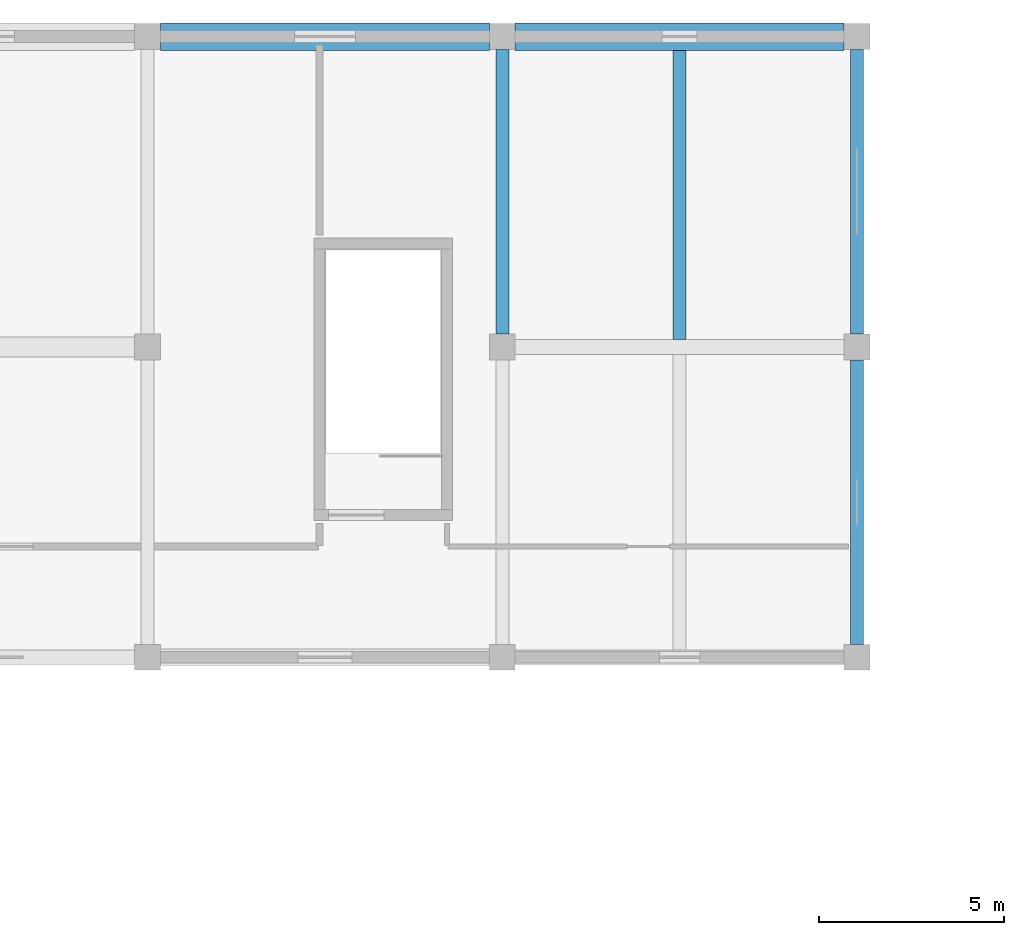
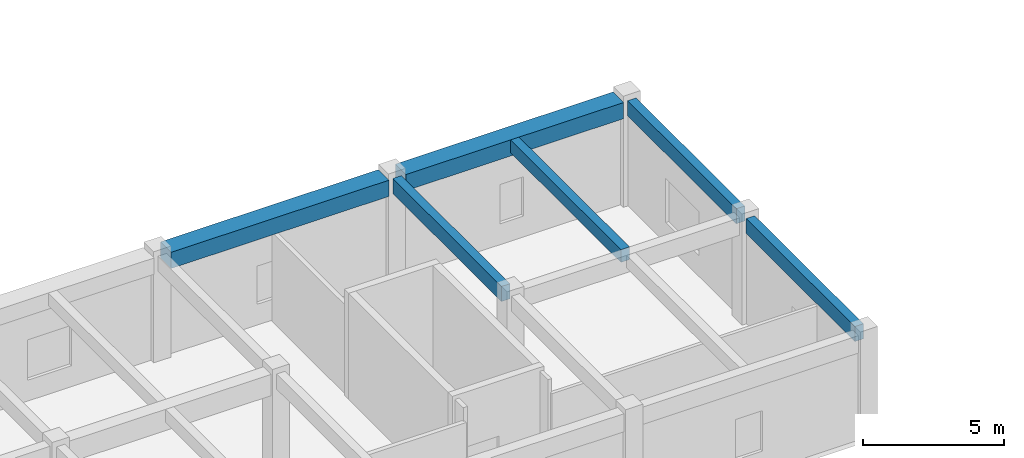
# One storey, part 23 of 68: 6 beams.
"""IFC4 building model written with IfcOpenShell, lengths in metres."""

import ifcopenshell
import ifcopenshell.guid

model = None  # the IFC model being written
_history = None  # IfcOwnerHistory: only IFC2X3 demands one
_inside = {}  # id of a spatial element -> (the spatial element, [elements in it])
_under = {}  # id of a project, library or spatial element -> (it, [spatial elements below it])
_declared = {}  # id of a project -> (the project, [libraries it declares])
_typed = {}  # id of a type object -> (the type object, [elements of that type])
_made_of = {}  # id of a material, layer set ... -> (it, [elements and type objects made of it])


def new_model(schema):
    """Start an empty IFC model of exactly this schema.

    Asked for "IFC4X3", IfcOpenShell would pick the latest addendum, in which some entities
    have other attributes; the version numbers below select the first issue.
    IFC2X3 requires an IfcOwnerHistory on every rooted entity: one is made here for all.
    """
    global model, _history
    if schema == "IFC4X3":
        model = ifcopenshell.file(schema_version=(4, 3, 0, 0))
    else:
        model = ifcopenshell.file(schema=schema)
    _inside.clear()
    _under.clear()
    _declared.clear()
    _typed.clear()
    _made_of.clear()
    _history = None
    if model.schema == "IFC2X3":
        org = make("IfcOrganization", Name="unknown")
        user = make(
            "IfcPersonAndOrganization",
            ThePerson=make("IfcPerson", FamilyName="unknown"),
            TheOrganization=org,
        )
        app = make(
            "IfcApplication",
            ApplicationDeveloper=org,
            Version="unknown",
            ApplicationFullName="unknown",
            ApplicationIdentifier="unknown",
        )
        _history = make(
            "IfcOwnerHistory",
            OwningUser=user,
            OwningApplication=app,
            ChangeAction="ADDED",
            CreationDate=0,
        )
    return model


def make(cls, **values):
    """One entity of the class cls with the attributes given. An attribute that is None is left unset."""
    return model.create_entity(
        cls, **{name: value for name, value in values.items() if value is not None}
    )


def rooted(cls, **values):
    """An entity with a GlobalId (a new one), such as an element, a storey or a relation."""
    return make(cls, GlobalId=ifcopenshell.guid.new(), OwnerHistory=_history, **values)


def si_unit(unit_type, name, prefix=None):
    """IfcSIUnit, for example si_unit("LENGTHUNIT", "METRE", prefix="MILLI")."""
    return make("IfcSIUnit", UnitType=unit_type, Prefix=prefix, Name=name)


def assignment(units):
    """IfcUnitAssignment: the units of a project."""
    return None if units is None else make("IfcUnitAssignment", Units=units)


def point(xyz):
    """IfcCartesianPoint."""
    return None if xyz is None else make("IfcCartesianPoint", Coordinates=xyz)


def direction(xyz):
    """IfcDirection."""
    return None if xyz is None else make("IfcDirection", DirectionRatios=xyz)


def frame(location, z_axis=None, x_axis=None):
    """IfcAxis2Placement3D, a coordinate frame: its origin and axes. An axis left out is left unset."""
    return make(
        "IfcAxis2Placement3D",
        Location=point(location),
        Axis=direction(z_axis),
        RefDirection=direction(x_axis),
    )


def frame_2d(location, x_axis=None):
    """IfcAxis2Placement2D, a coordinate frame in the plane: its origin and x axis."""
    return make(
        "IfcAxis2Placement2D", Location=point(location), RefDirection=direction(x_axis)
    )


def origin():
    """The frame at (0, 0, 0) with its axes left unset."""
    return frame((0.0, 0.0, 0.0))


def origin_2d():
    """The frame at (0, 0) in the plane with its x axis left unset."""
    return frame_2d((0.0, 0.0))


def place(relative_to, where):
    """IfcLocalPlacement: puts the frame where relative to a parent placement (None: the world)."""
    return make(
        "IfcLocalPlacement", PlacementRelTo=relative_to, RelativePlacement=where
    )


def context(
    kind, dimensions, precision=None, world=None, true_north=None, identifier=None
):
    """IfcGeometricRepresentationContext, for example the 3D "Model" context."""
    return make(
        "IfcGeometricRepresentationContext",
        ContextIdentifier=identifier,
        ContextType=kind,
        CoordinateSpaceDimension=dimensions,
        Precision=precision,
        WorldCoordinateSystem=world,
        TrueNorth=true_north,
    )


def subcontext(parent, identifier, kind, view, scale=None):
    """IfcGeometricRepresentationSubContext, for example "Body" below "Model"."""
    return make(
        "IfcGeometricRepresentationSubContext",
        ContextIdentifier=identifier,
        ContextType=kind,
        ParentContext=parent,
        TargetScale=scale,
        TargetView=view,
    )


def project(units=None, contexts=None):
    """IfcProject with its units and contexts."""
    return rooted(
        "IfcProject",
        Name="project",
        RepresentationContexts=contexts,
        UnitsInContext=assignment(units),
    )


def spatial(cls, under=None, at=None, **own):
    """A site, building, storey or space (cls), placed at a placement, below another one or the project."""
    s = rooted(cls, ObjectPlacement=at, **own)
    if under is not None:
        _under.setdefault(under.id(), (under, []))[1].append(s)
    return s


def profile(cls, at=None, kind="AREA", **sizes):
    """A parametric profile (cls). Its sizes go by their IFC names, for example OverallWidth=200.0."""
    return make(cls, ProfileType=kind, Position=at, **sizes)


def rectangle(**sizes):
    """IfcRectangleProfileDef."""
    return profile("IfcRectangleProfileDef", **sizes)


def extrude(swept, where, along, depth):
    """IfcExtrudedAreaSolid: the profile swept, set in the frame where, extruded along a direction by depth."""
    return make(
        "IfcExtrudedAreaSolid",
        SweptArea=swept,
        Position=where,
        ExtrudedDirection=direction(along),
        Depth=depth,
    )


def shape(context_of_items, identifier, shape_type, items):
    """IfcShapeRepresentation: the items that make up one representation, for example the "Body"."""
    return make(
        "IfcShapeRepresentation",
        ContextOfItems=context_of_items,
        RepresentationIdentifier=identifier,
        RepresentationType=shape_type,
        Items=items,
    )


def material(Name=None, Category=None):
    """IfcMaterial."""
    return make("IfcMaterial", Name=Name, Category=Category)


def material_profile(
    of_material, cross_section, Name=None, Category=None, Priority=None
):
    """IfcMaterialProfile: a cross section and its material."""
    return make(
        "IfcMaterialProfile",
        Name=Name,
        Material=of_material,
        Profile=cross_section,
        Priority=Priority,
        Category=Category,
    )


def profile_set(profiles, Name=None, composite=None):
    """IfcMaterialProfileSet."""
    return make(
        "IfcMaterialProfileSet",
        Name=Name,
        MaterialProfiles=profiles,
        CompositeProfile=composite,
    )


def made_of(thing, what):
    """Note that an element or type object is made of a material, layer set ...; save() writes the relation."""
    if what is not None:
        _made_of.setdefault(what.id(), (what, []))[1].append(thing)
    return thing


def type_object(cls, material=None, **own):
    """A type object (cls), such as IfcWallType, which elements share."""
    return made_of(rooted(cls, **own), material)


def element(
    cls,
    number,
    at=None,
    inside=None,
    cuts=None,
    type_object=None,
    material=None,
    context=None,
    identifier="Body",
    shape_type=None,
    held_by="IfcProductDefinitionShape",
    body=None,
    shapes=None,
    **own,
):
    """One element of the class cls, such as IfcWall. Its Tag is "e" and its number.

    at: its placement. inside: the storey or other place that contains it. cuts: it is an
    opening in that element (IfcRelVoidsElement). A single representation is given by context,
    identifier, shape_type and body (its items); several are given by shapes. held_by: the class
    of the entity that holds the representations. save() writes the other relations.
    """
    e = rooted(cls, Tag="e%d" % number, ObjectPlacement=at, **own)
    if body is not None:
        shapes = [shape(context, identifier, shape_type, body)]
    if shapes is not None:
        e.Representation = make(held_by, Representations=shapes)
    if inside is not None:
        _inside.setdefault(inside.id(), (inside, []))[1].append(e)
    if cuts is not None:
        rooted(
            "IfcRelVoidsElement", RelatingBuildingElement=cuts, RelatedOpeningElement=e
        )
    if type_object is not None:
        _typed.setdefault(type_object.id(), (type_object, []))[1].append(e)
    return made_of(e, material)


def aggregate(whole, parts):
    """IfcRelAggregates: a whole, such as a stair, and the parts it consists of."""
    return rooted("IfcRelAggregates", RelatingObject=whole, RelatedObjects=parts)


def save(model, path):
    """Write the relations noted so far, then the file.

    IfcRelAggregates (storeys below a building ...), IfcRelContainedInSpatialStructure (elements
    in a storey), IfcRelDefinesByType, IfcRelAssociatesMaterial and IfcRelDeclares: one each for
    every whole, place, type object, material and project.
    """
    for whole, parts in _under.values():
        aggregate(whole, parts)
    for where, things in _inside.values():
        rooted(
            "IfcRelContainedInSpatialStructure",
            RelatedElements=things,
            RelatingStructure=where,
        )
    for kind, things in _typed.values():
        rooted("IfcRelDefinesByType", RelatedObjects=things, RelatingType=kind)
    for what, things in _made_of.values():
        rooted("IfcRelAssociatesMaterial", RelatedObjects=things, RelatingMaterial=what)
    for by, libraries in _declared.values():
        rooted("IfcRelDeclares", RelatingContext=by, RelatedDefinitions=libraries)
    model.write(path)


model = new_model("IFC4")

# Units and contexts
model_context = context("Model", 3, precision=1e-05, world=origin(), true_north=direction((0.0, 1.0)))
body_context = subcontext(model_context, "Body", "Model", "MODEL_VIEW")
ifc_project = project(units=[si_unit("LENGTHUNIT", "METRE"), si_unit("AREAUNIT", "SQUARE_METRE"), si_unit("VOLUMEUNIT", "CUBIC_METRE"), si_unit("PLANEANGLEUNIT", "RADIAN"), si_unit("MASSUNIT", "GRAM", prefix="KILO")], contexts=[model_context])

# Site, building, storey
site_placement = place(None, origin())
site = spatial("IfcSite", under=ifc_project, at=site_placement, CompositionType="ELEMENT")
building_placement = place(site_placement, origin())
building = spatial("IfcBuilding", under=site, at=building_placement, Name="Miralva Faculty of Natural Sciences", CompositionType="ELEMENT")
storey_placement = place(building_placement, frame((0.0, 0.0, 5.39990234375)))
storey = spatial("IfcBuildingStorey", under=building, at=storey_placement, Name="L01", CompositionType="ELEMENT", Elevation=5.39990234375)

# Beams
ifc_material = material(Name="Concrete C40/50", Category="concrete")
ifc_material_profile_1 = material_profile(ifc_material, rectangle(XDim=0.35009765625, YDim=0.64990234375, at=origin_2d()), Name="RC 350x650")
ifc_profile_set_1 = profile_set([ifc_material_profile_1], Name="Concrete C40/50")
beam_type_1 = type_object("IfcBeamType", Name="BM-B05", PredefinedType="BEAM", material=ifc_profile_set_1)
for number, where, z_axis, x_axis, name in (
    (1, (75.0, 108.949951171875, 4.22509765625), (0.0, 1.0, 0.0), (-1.0, 0.0, 0.0), "Girder NS L01-157"),
    (2, (84.60009765625, 100.550048828125, 4.22509765625), (0.0, 1.0, 0.0), (-1.0, 0.0, 0.0), "Girder NS L01-158"),
    (3, (84.60009765625, 108.949951171875, 4.22509765625), (0.0, 1.0, 0.0), (-1.0, 0.0, 0.0), "Girder NS L01-159"),
):
    element("IfcBeam", number, at=place(storey_placement, frame(where, z_axis=z_axis, x_axis=x_axis)), inside=storey, type_object=beam_type_1, Name=name, PredefinedType="BEAM", context=body_context, shape_type="SweptSolid", body=[
        extrude(rectangle(XDim=0.35009765625, YDim=0.64990234375, at=origin_2d()), origin(), (0.0, 0.0, 1.0), 7.699951171875),
    ])
ifc_material_profile_2 = material_profile(ifc_material, rectangle(XDim=0.35009765625, YDim=0.550048828125, at=origin_2d()), Name="RC 350x550")
ifc_profile_set_2 = profile_set([ifc_material_profile_2], Name="Concrete C40/50")
beam_type_2 = type_object("IfcBeamType", Name="BM-J04", PredefinedType="JOIST", material=ifc_profile_set_2)
beam_placement = place(storey_placement, frame((79.800048828125, 108.800048828125, 4.275146484375), z_axis=(0.0, 1.0, 0.0), x_axis=(-1.0, 0.0, 0.0)))
element("IfcBeam", 4, at=beam_placement, inside=storey, type_object=beam_type_2, Name="Floor joist L01-47", PredefinedType="JOIST", context=body_context, shape_type="SweptSolid", body=[
    extrude(rectangle(XDim=0.35009765625, YDim=0.550048828125, at=origin_2d()), origin(), (0.0, 0.0, 1.0), 7.824951171875),
])
ifc_material_profile_3 = material_profile(ifc_material, rectangle(XDim=0.75, YDim=0.699951171875, at=origin_2d()), Name="RC 750x700")
ifc_profile_set_3 = profile_set([ifc_material_profile_3], Name="Concrete C40/50")
beam_type_3 = type_object("IfcBeamType", Name="BM-SP01", PredefinedType="SPANDREL", material=ifc_profile_set_3)
for number, where, z_axis, x_axis, name in (
    (5, (65.75, 117.0, 4.2001953125), (1.0, 0.0, 0.0), (0.0, 1.0, 0.0), "Girder EW L01-94"),
    (6, (75.35009765625, 117.0, 4.2001953125), (1.0, 0.0, 0.0), (0.0, 1.0, 0.0), "Girder EW L01-95"),
):
    element("IfcBeam", number, at=place(storey_placement, frame(where, z_axis=z_axis, x_axis=x_axis)), inside=storey, type_object=beam_type_3, Name=name, PredefinedType="SPANDREL", context=body_context, shape_type="SweptSolid", body=[
        extrude(rectangle(XDim=0.75, YDim=0.699951171875, at=origin_2d()), origin(), (0.0, 0.0, 1.0), 8.89990234375),
    ])

save(model, "model.ifc")
